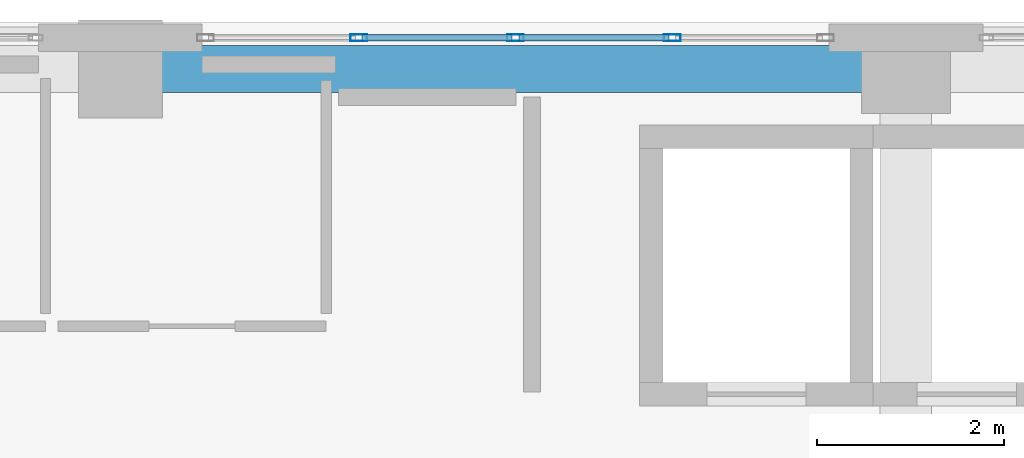
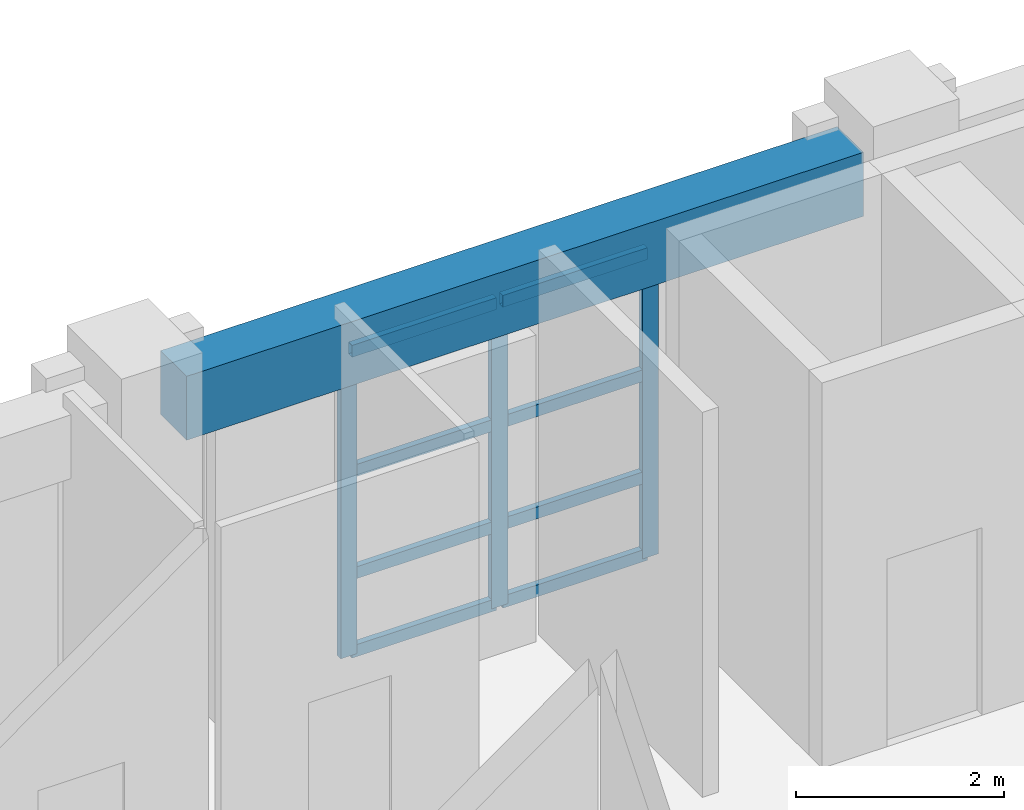
# One storey, part 46 of 123: 11 members, 1 beam, 1 element without a shape of its own.
"""IFC4 building model written with IfcOpenShell, lengths in metres."""

from ifc_helpers import new_model, si_unit, direction, frame, origin, origin_2d, place, context, subcontext, project, spatial, rectangle, hollow_rectangle, extrude, material, layer, layer_set, material_profile, profile_set, type_object, element, aggregate, save


model = new_model("IFC4")

# Units and contexts
model_context = context("Model", 3, precision=1e-05, world=origin(), true_north=direction((0.0, 1.0)))
body_context = subcontext(model_context, "Body", "Model", "MODEL_VIEW")
ifc_project = project(units=[si_unit("LENGTHUNIT", "METRE"), si_unit("AREAUNIT", "SQUARE_METRE"), si_unit("VOLUMEUNIT", "CUBIC_METRE"), si_unit("PLANEANGLEUNIT", "RADIAN"), si_unit("MASSUNIT", "GRAM", prefix="KILO")], contexts=[model_context])

# Site, building, storey
site_placement = place(None, origin())
site = spatial("IfcSite", under=ifc_project, at=site_placement, CompositionType="ELEMENT")
building_placement = place(site_placement, origin())
building = spatial("IfcBuilding", under=site, at=building_placement, Name="Quendrovan Civic Courthouse", CompositionType="ELEMENT")
storey_placement = place(building_placement, frame((0.0, 0.0, 5.39990234375)))
storey = spatial("IfcBuildingStorey", under=building, at=storey_placement, Name="L02", CompositionType="ELEMENT", Elevation=5.39990234375)

# Beam
ifc_material_1 = material(Name="Concrete C40/50", Category="concrete")
ifc_material_profile_1 = material_profile(ifc_material_1, rectangle(XDim=0.5, YDim=0.75, at=origin_2d()), Name="RC-BM-500x750")
ifc_profile_set_1 = profile_set([ifc_material_profile_1], Name="Concrete C40/50")
beam_type = type_object("IfcBeamType", Name="BM-RC750", PredefinedType="SPANDREL", material=ifc_profile_set_1)
beam_placement = place(storey_placement, frame((42.429931640625, 109.89990234375, 3.985107421875), z_axis=(1.0, 0.0, 0.0), x_axis=(0.0, 1.0, 0.0)))
element("IfcBeam", 1, at=beam_placement, inside=storey, type_object=beam_type, Name="L02 Girder X0592", PredefinedType="SPANDREL", context=body_context, shape_type="SweptSolid", body=[
    extrude(rectangle(XDim=0.5, YDim=0.75, at=origin_2d()), origin(), (0.0, 0.0, 1.0), 7.51513671875),
])

# Curtain wall, members
ifc_material_2 = material(Name="Bronze anodised aluminium and low-E glass", Category="aluminium")
ifc_layer = layer(ifc_material_2, 0.179931640625, Name="Bronze anodised aluminium and low-E glass")
ifc_layer_set = layer_set([ifc_layer], Name="Bronze anodised aluminium and low-E glass")
curtain_wall_type = type_object("IfcCurtainWallType", Name="CW-U67x36", PredefinedType="USERDEFINED", material=ifc_layer_set)
curtain_wall_placement = place(storey_placement, origin())
curtain_wall = element("IfcCurtainWall", 2, at=curtain_wall_placement, inside=storey, type_object=curtain_wall_type, Name="L02 Unitised Hurricane Curtain Wall CW-082", ObjectType="UNITISED CURTAIN WALL", PredefinedType="USERDEFINED")
ifc_material_3 = material(Name="Bronze anodised aluminium", Category="aluminium")
ifc_material_profile_2 = material_profile(ifc_material_3, hollow_rectangle(XDim=0.070068359375, YDim=0.179931640625, WallThickness=0.00390625, at=origin_2d()), Name="CW-MULL-70x180")
ifc_profile_set_2 = profile_set([ifc_material_profile_2], Name="Bronze anodised aluminium")
member_type_1 = type_object("IfcMemberType", Name="CW-MULL-A", PredefinedType="MULLION", material=ifc_profile_set_2)
member_1_placement = place(storey_placement, frame((44.550048828125, 110.235107421875, 0.0), z_axis=(0.0, 0.0, 1.0), x_axis=(0.0, 1.0, 0.0)))
member_1 = element("IfcMember", 3, at=member_1_placement, type_object=member_type_1, Name="CW-082 mullion 2", PredefinedType="MULLION", context=body_context, shape_type="SweptSolid", body=[
    extrude(hollow_rectangle(XDim=0.070068359375, YDim=0.179931640625, WallThickness=0.00390625, at=origin_2d()), origin(), (0.0, 0.0, 1.0), 3.60009765625),
])
member_2_placement = place(storey_placement, frame((46.22509765625, 110.235107421875, 0.0), z_axis=(0.0, 0.0, 1.0), x_axis=(0.0, 1.0, 0.0)))
member_2 = element("IfcMember", 4, at=member_2_placement, type_object=member_type_1, Name="CW-082 mullion 3", PredefinedType="MULLION", context=body_context, shape_type="SweptSolid", body=[
    extrude(hollow_rectangle(XDim=0.070068359375, YDim=0.179931640625, WallThickness=0.00390625, at=origin_2d()), origin(), (0.0, 0.0, 1.0), 3.60009765625),
])
member_3_placement = place(storey_placement, frame((47.89990234375, 110.235107421875, 0.0), z_axis=(0.0, 0.0, 1.0), x_axis=(0.0, 1.0, 0.0)))
member_3 = element("IfcMember", 5, at=member_3_placement, type_object=member_type_1, Name="CW-082 mullion 4", PredefinedType="MULLION", context=body_context, shape_type="SweptSolid", body=[
    extrude(hollow_rectangle(XDim=0.070068359375, YDim=0.179931640625, WallThickness=0.00390625, at=origin_2d()), origin(), (0.0, 0.0, 1.0), 3.60009765625),
])
ifc_material_profile_3 = material_profile(ifc_material_3, hollow_rectangle(XDim=0.070068359375, YDim=0.139892578125, WallThickness=0.00390625, at=origin_2d()), Name="CW-TRAN-70x140")
ifc_profile_set_3 = profile_set([ifc_material_profile_3], Name="Bronze anodised aluminium")
member_type_2 = type_object("IfcMemberType", Name="CW-TRAN-A", PredefinedType="USERDEFINED", material=ifc_profile_set_3)
member_4_placement = place(storey_placement, frame((44.5849609375, 110.235107421875, 0.03515625), z_axis=(1.0, 0.0, 0.0), x_axis=(0.0, 1.0, 0.0)))
member_4 = element("IfcMember", 6, at=member_4_placement, type_object=member_type_2, Name="CW-082 transom 2.1", ObjectType="TRANSOM", PredefinedType="USERDEFINED", context=body_context, shape_type="SweptSolid", body=[
    extrude(hollow_rectangle(XDim=0.070068359375, YDim=0.139892578125, WallThickness=0.00390625, at=origin_2d()), origin(), (0.0, 0.0, 1.0), 1.60498046875),
])
member_5_placement = place(storey_placement, frame((44.5849609375, 110.235107421875, 0.9501953125), z_axis=(1.0, 0.0, 0.0), x_axis=(0.0, 1.0, 0.0)))
member_5 = element("IfcMember", 7, at=member_5_placement, type_object=member_type_2, Name="CW-082 transom 2.2", ObjectType="TRANSOM", PredefinedType="USERDEFINED", context=body_context, shape_type="SweptSolid", body=[
    extrude(hollow_rectangle(XDim=0.070068359375, YDim=0.139892578125, WallThickness=0.00390625, at=origin_2d()), origin(), (0.0, 0.0, 1.0), 1.60498046875),
])
member_6_placement = place(storey_placement, frame((44.5849609375, 110.235107421875, 2.150146484375), z_axis=(1.0, 0.0, 0.0), x_axis=(0.0, 1.0, 0.0)))
member_6 = element("IfcMember", 8, at=member_6_placement, type_object=member_type_2, Name="CW-082 transom 2.3", ObjectType="TRANSOM", PredefinedType="USERDEFINED", context=body_context, shape_type="SweptSolid", body=[
    extrude(hollow_rectangle(XDim=0.070068359375, YDim=0.139892578125, WallThickness=0.00390625, at=origin_2d()), origin(), (0.0, 0.0, 1.0), 1.60498046875),
])
member_7_placement = place(storey_placement, frame((44.5849609375, 110.235107421875, 3.565185546875), z_axis=(1.0, 0.0, 0.0), x_axis=(0.0, 1.0, 0.0)))
member_7 = element("IfcMember", 9, at=member_7_placement, type_object=member_type_2, Name="CW-082 transom 2.4", ObjectType="TRANSOM", PredefinedType="USERDEFINED", context=body_context, shape_type="SweptSolid", body=[
    extrude(hollow_rectangle(XDim=0.070068359375, YDim=0.139892578125, WallThickness=0.00390625, at=origin_2d()), origin(), (0.0, 0.0, 1.0), 1.60498046875),
])
member_8_placement = place(storey_placement, frame((46.260009765625, 110.235107421875, 0.03515625), z_axis=(1.0, 0.0, 0.0), x_axis=(0.0, 1.0, 0.0)))
member_8 = element("IfcMember", 10, at=member_8_placement, type_object=member_type_2, Name="CW-082 transom 3.1", ObjectType="TRANSOM", PredefinedType="USERDEFINED", context=body_context, shape_type="SweptSolid", body=[
    extrude(hollow_rectangle(XDim=0.070068359375, YDim=0.139892578125, WallThickness=0.00390625, at=origin_2d()), origin(), (0.0, 0.0, 1.0), 1.60498046875),
])
member_9_placement = place(storey_placement, frame((46.260009765625, 110.235107421875, 0.9501953125), z_axis=(1.0, 0.0, 0.0), x_axis=(0.0, 1.0, 0.0)))
member_9 = element("IfcMember", 11, at=member_9_placement, type_object=member_type_2, Name="CW-082 transom 3.2", ObjectType="TRANSOM", PredefinedType="USERDEFINED", context=body_context, shape_type="SweptSolid", body=[
    extrude(hollow_rectangle(XDim=0.070068359375, YDim=0.139892578125, WallThickness=0.00390625, at=origin_2d()), origin(), (0.0, 0.0, 1.0), 1.60498046875),
])
member_10_placement = place(storey_placement, frame((46.260009765625, 110.235107421875, 2.150146484375), z_axis=(1.0, 0.0, 0.0), x_axis=(0.0, 1.0, 0.0)))
member_10 = element("IfcMember", 12, at=member_10_placement, type_object=member_type_2, Name="CW-082 transom 3.3", ObjectType="TRANSOM", PredefinedType="USERDEFINED", context=body_context, shape_type="SweptSolid", body=[
    extrude(hollow_rectangle(XDim=0.070068359375, YDim=0.139892578125, WallThickness=0.00390625, at=origin_2d()), origin(), (0.0, 0.0, 1.0), 1.60498046875),
])
member_11_placement = place(storey_placement, frame((46.260009765625, 110.235107421875, 3.565185546875), z_axis=(1.0, 0.0, 0.0), x_axis=(0.0, 1.0, 0.0)))
member_11 = element("IfcMember", 13, at=member_11_placement, type_object=member_type_2, Name="CW-082 transom 3.4", ObjectType="TRANSOM", PredefinedType="USERDEFINED", context=body_context, shape_type="SweptSolid", body=[
    extrude(hollow_rectangle(XDim=0.070068359375, YDim=0.139892578125, WallThickness=0.00390625, at=origin_2d()), origin(), (0.0, 0.0, 1.0), 1.60498046875),
])
aggregate(curtain_wall, [member_1, member_2, member_3, member_4, member_5, member_6, member_7, member_8, member_9, member_10, member_11])

save(model, "model.ifc")
